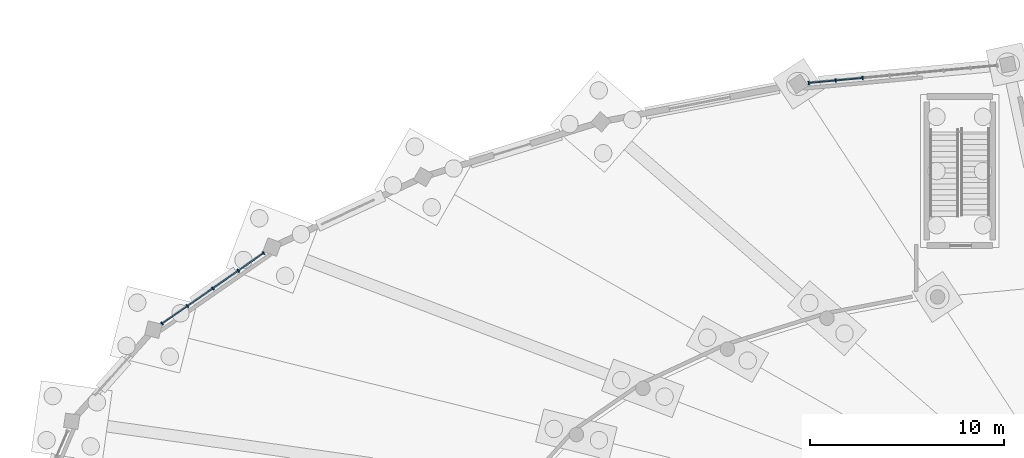
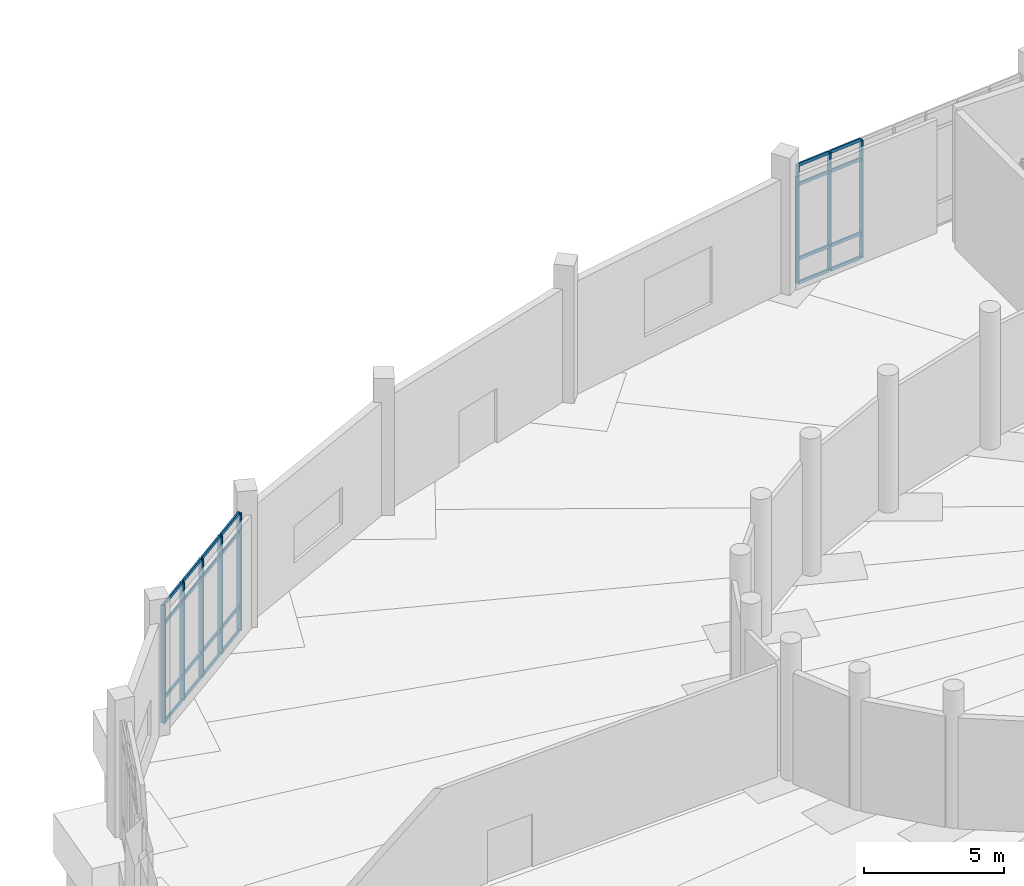
# One storey, part 54 of 140: 32 members, 2 elements without a shape of their own.
"""IFC4 building model written with IfcOpenShell, lengths in metres."""

from ifc_helpers import new_model, si_unit, direction, frame, origin, origin_2d, place, context, subcontext, project, spatial, rectangle, extrude, material, layer, layer_set, material_profile, profile_set, type_object, element, aggregate, save


model = new_model("IFC4")

# Units and contexts
model_context = context("Model", 3, precision=1e-05, world=origin(), true_north=direction((0.0, 1.0)))
body_context = subcontext(model_context, "Body", "Model", "MODEL_VIEW")
ifc_project = project(units=[si_unit("LENGTHUNIT", "METRE"), si_unit("AREAUNIT", "SQUARE_METRE"), si_unit("VOLUMEUNIT", "CUBIC_METRE"), si_unit("PLANEANGLEUNIT", "RADIAN"), si_unit("MASSUNIT", "GRAM", prefix="KILO")], contexts=[model_context])

# Site, building, storey
site_placement = place(None, origin())
site = spatial("IfcSite", under=ifc_project, at=site_placement, CompositionType="ELEMENT")
building_placement = place(site_placement, origin())
building = spatial("IfcBuilding", under=site, at=building_placement, Name="Corvandel Quay Wholesale Market", CompositionType="ELEMENT")
storey_placement = place(building_placement, origin())
storey = spatial("IfcBuildingStorey", under=building, at=storey_placement, Name="L00", CompositionType="ELEMENT", Elevation=0.0)

# Curtain wall, members
ifc_material_1 = material(Name="Bronze anodised aluminium and low-E insulated glazing", Category="aluminium")
ifc_layer_1 = layer(ifc_material_1, 0.162109375)
ifc_layer_set_1 = layer_set([ifc_layer_1], Name="Bronze anodised aluminium and low-E insulated glazing")
curtain_wall_type_1 = type_object("IfcCurtainWallType", Name="Stick Curtain Wall System CW11 H3990", PredefinedType="NOTDEFINED", material=ifc_layer_set_1)
curtain_wall_1_placement = place(storey_placement, origin())
curtain_wall_1 = element("IfcCurtainWall", 1, at=curtain_wall_1_placement, inside=storey, type_object=curtain_wall_type_1, Name="Curtain Wall CW-0098", PredefinedType="NOTDEFINED")
ifc_material_2 = material(Name="Anodised aluminium 6063-T6", Category="aluminium")
ifc_material_profile_1 = material_profile(ifc_material_2, rectangle(XDim=0.06494140625, YDim=0.179931640625, at=origin_2d()), Name="ALU-MUL-65x180")
ifc_profile_set_1 = profile_set([ifc_material_profile_1], Name="Anodised aluminium 6063-T6")
member_type_1 = type_object("IfcMemberType", Name="Curtain Wall Mullion ML01 65x180", PredefinedType="MULLION", material=ifc_profile_set_1)
member_1_placement = place(storey_placement, frame((100.986572265625, 141.3076171875, 0.0), z_axis=(0.0, 0.0, 1.0), x_axis=(0.995756880939, 0.092023008338, 0.0)))
member_1 = element("IfcMember", 2, at=member_1_placement, type_object=member_type_1, Name="Mullion CW-0098-M05", PredefinedType="MULLION", context=body_context, shape_type="SweptSolid", body=[
    extrude(rectangle(XDim=0.06494140625, YDim=0.179931640625, at=origin_2d()), origin(), (0.0, 0.0, 1.0), 5.14990234375),
])
member_2_placement = place(storey_placement, frame((99.594482421875, 141.17919921875, 0.0), z_axis=(0.0, 0.0, 1.0), x_axis=(0.995756880939, 0.092023008338, 0.0)))
member_2 = element("IfcMember", 3, at=member_2_placement, type_object=member_type_1, Name="Mullion CW-0098-M06", PredefinedType="MULLION", context=body_context, shape_type="SweptSolid", body=[
    extrude(rectangle(XDim=0.06494140625, YDim=0.179931640625, at=origin_2d()), origin(), (0.0, 0.0, 1.0), 5.14990234375),
])
member_3_placement = place(storey_placement, frame((98.20263671875, 141.05078125, 0.0), z_axis=(0.0, 0.0, 1.0), x_axis=(0.995756880939, 0.092023008338, 0.0)))
member_3 = element("IfcMember", 4, at=member_3_placement, type_object=member_type_1, Name="Mullion CW-0098-M07", PredefinedType="MULLION", context=body_context, shape_type="SweptSolid", body=[
    extrude(rectangle(XDim=0.06494140625, YDim=0.179931640625, at=origin_2d()), origin(), (0.0, 0.0, 1.0), 5.14990234375),
])

ifc_layer_2 = layer(ifc_material_1, 0.14990234375)
ifc_layer_set_2 = layer_set([ifc_layer_2], Name="Bronze anodised aluminium and low-E insulated glazing")
curtain_wall_type_2 = type_object("IfcCurtainWallType", Name="Stick Curtain Wall System CW15 H4350", PredefinedType="NOTDEFINED", material=ifc_layer_set_2)
curtain_wall_2_placement = place(storey_placement, origin())
curtain_wall_2 = element("IfcCurtainWall", 5, at=curtain_wall_2_placement, inside=storey, type_object=curtain_wall_type_2, Name="Curtain Wall CW-0101", PredefinedType="NOTDEFINED")
member_4_placement = place(storey_placement, frame((70.05859375, 132.265869140625, 0.0), z_axis=(0.0, 0.0, 1.0), x_axis=(0.821248804935, 0.570570241419, 0.0)))
member_4 = element("IfcMember", 6, at=member_4_placement, type_object=member_type_1, Name="Mullion CW-0101-M00", PredefinedType="MULLION", context=body_context, shape_type="SweptSolid", body=[
    extrude(rectangle(XDim=0.06494140625, YDim=0.179931640625, at=origin_2d()), origin(), (0.0, 0.0, 1.0), 5.14990234375),
])
member_5_placement = place(storey_placement, frame((68.748046875, 131.35546875, 0.0), z_axis=(0.0, 0.0, 1.0), x_axis=(0.821248804935, 0.570570241419, 0.0)))
member_5 = element("IfcMember", 7, at=member_5_placement, type_object=member_type_1, Name="Mullion CW-0101-M01", PredefinedType="MULLION", context=body_context, shape_type="SweptSolid", body=[
    extrude(rectangle(XDim=0.06494140625, YDim=0.179931640625, at=origin_2d()), origin(), (0.0, 0.0, 1.0), 5.14990234375),
])
member_6_placement = place(storey_placement, frame((67.4375, 130.445068359375, 0.0), z_axis=(0.0, 0.0, 1.0), x_axis=(0.821248804935, 0.570570241419, 0.0)))
member_6 = element("IfcMember", 8, at=member_6_placement, type_object=member_type_1, Name="Mullion CW-0101-M02", PredefinedType="MULLION", context=body_context, shape_type="SweptSolid", body=[
    extrude(rectangle(XDim=0.06494140625, YDim=0.179931640625, at=origin_2d()), origin(), (0.0, 0.0, 1.0), 5.14990234375),
])
member_7_placement = place(storey_placement, frame((66.126953125, 129.534423828125, 0.0), z_axis=(0.0, 0.0, 1.0), x_axis=(0.821248804935, 0.570570241419, 0.0)))
member_7 = element("IfcMember", 9, at=member_7_placement, type_object=member_type_1, Name="Mullion CW-0101-M03", PredefinedType="MULLION", context=body_context, shape_type="SweptSolid", body=[
    extrude(rectangle(XDim=0.06494140625, YDim=0.179931640625, at=origin_2d()), origin(), (0.0, 0.0, 1.0), 5.14990234375),
])
member_8_placement = place(storey_placement, frame((64.81640625, 128.6240234375, 0.0), z_axis=(0.0, 0.0, 1.0), x_axis=(0.821248804935, 0.570570241419, 0.0)))
member_8 = element("IfcMember", 10, at=member_8_placement, type_object=member_type_1, Name="Mullion CW-0101-M04", PredefinedType="MULLION", context=body_context, shape_type="SweptSolid", body=[
    extrude(rectangle(XDim=0.06494140625, YDim=0.179931640625, at=origin_2d()), origin(), (0.0, 0.0, 1.0), 5.14990234375),
])

# Member
ifc_material_profile_2 = material_profile(ifc_material_2, rectangle(XDim=0.06494140625, YDim=0.139892578125, at=origin_2d()), Name="ALU-TRN-65x140")
ifc_profile_set_2 = profile_set([ifc_material_profile_2], Name="Anodised aluminium 6063-T6")
member_type_2 = type_object("IfcMemberType", Name="Curtain Wall Transom TR01 65x140", PredefinedType="USERDEFINED", material=ifc_profile_set_2)
member_9_placement = place(storey_placement, frame((100.9541015625, 141.3046875, 0.0), z_axis=(-0.99576306711, -0.091956044829, 0.0), x_axis=(0.091956044829, -0.99576306711, 0.0)))
member_9 = element("IfcMember", 11, at=member_9_placement, type_object=member_type_2, Name="Transom CW-0098-T05-0", ObjectType="TRANSOM", PredefinedType="USERDEFINED", context=body_context, shape_type="SweptSolid", body=[
    extrude(rectangle(XDim=0.06494140625, YDim=0.139892578125, at=origin_2d()), origin(), (0.0, 0.0, 1.0), 1.332763671875),
])

member_10_placement = place(storey_placement, frame((100.9541015625, 141.3046875, 1.050048828125), z_axis=(-0.99576306711, -0.091956044829, 0.0), x_axis=(0.091956044829, -0.99576306711, 0.0)))
member_10 = element("IfcMember", 12, at=member_10_placement, type_object=member_type_2, Name="Transom CW-0098-T05-1", ObjectType="TRANSOM", PredefinedType="USERDEFINED", context=body_context, shape_type="SweptSolid", body=[
    extrude(rectangle(XDim=0.06494140625, YDim=0.139892578125, at=origin_2d()), origin(), (0.0, 0.0, 1.0), 1.332763671875),
])

member_11_placement = place(storey_placement, frame((100.9541015625, 141.3046875, 4.300048828125), z_axis=(-0.99576306711, -0.091956044829, 0.0), x_axis=(0.091956044829, -0.99576306711, 0.0)))
member_11 = element("IfcMember", 13, at=member_11_placement, type_object=member_type_2, Name="Transom CW-0098-T05-2", ObjectType="TRANSOM", PredefinedType="USERDEFINED", context=body_context, shape_type="SweptSolid", body=[
    extrude(rectangle(XDim=0.06494140625, YDim=0.139892578125, at=origin_2d()), origin(), (0.0, 0.0, 1.0), 1.332763671875),
])

member_12_placement = place(storey_placement, frame((100.9541015625, 141.3046875, 5.14990234375), z_axis=(-0.99576306711, -0.091956044829, 0.0), x_axis=(0.091956044829, -0.99576306711, 0.0)))
member_12 = element("IfcMember", 14, at=member_12_placement, type_object=member_type_2, Name="Transom CW-0098-T05-3", ObjectType="TRANSOM", PredefinedType="USERDEFINED", context=body_context, shape_type="SweptSolid", body=[
    extrude(rectangle(XDim=0.06494140625, YDim=0.139892578125, at=origin_2d()), origin(), (0.0, 0.0, 1.0), 1.332763671875),
])

member_13_placement = place(storey_placement, frame((99.562255859375, 141.17626953125, 0.0), z_axis=(-0.99576306711, -0.091956044829, 0.0), x_axis=(0.091956044829, -0.99576306711, 0.0)))
member_13 = element("IfcMember", 15, at=member_13_placement, type_object=member_type_2, Name="Transom CW-0098-T06-0", ObjectType="TRANSOM", PredefinedType="USERDEFINED", context=body_context, shape_type="SweptSolid", body=[
    extrude(rectangle(XDim=0.06494140625, YDim=0.139892578125, at=origin_2d()), origin(), (0.0, 0.0, 1.0), 1.332763671875),
])

member_14_placement = place(storey_placement, frame((99.562255859375, 141.17626953125, 1.050048828125), z_axis=(-0.99576306711, -0.091956044829, 0.0), x_axis=(0.091956044829, -0.99576306711, 0.0)))
member_14 = element("IfcMember", 16, at=member_14_placement, type_object=member_type_2, Name="Transom CW-0098-T06-1", ObjectType="TRANSOM", PredefinedType="USERDEFINED", context=body_context, shape_type="SweptSolid", body=[
    extrude(rectangle(XDim=0.06494140625, YDim=0.139892578125, at=origin_2d()), origin(), (0.0, 0.0, 1.0), 1.332763671875),
])

member_15_placement = place(storey_placement, frame((99.562255859375, 141.17626953125, 4.300048828125), z_axis=(-0.99576306711, -0.091956044829, 0.0), x_axis=(0.091956044829, -0.99576306711, 0.0)))
member_15 = element("IfcMember", 17, at=member_15_placement, type_object=member_type_2, Name="Transom CW-0098-T06-2", ObjectType="TRANSOM", PredefinedType="USERDEFINED", context=body_context, shape_type="SweptSolid", body=[
    extrude(rectangle(XDim=0.06494140625, YDim=0.139892578125, at=origin_2d()), origin(), (0.0, 0.0, 1.0), 1.332763671875),
])

member_16_placement = place(storey_placement, frame((99.562255859375, 141.17626953125, 5.14990234375), z_axis=(-0.99576306711, -0.091956044829, 0.0), x_axis=(0.091956044829, -0.99576306711, 0.0)))
member_16 = element("IfcMember", 18, at=member_16_placement, type_object=member_type_2, Name="Transom CW-0098-T06-3", ObjectType="TRANSOM", PredefinedType="USERDEFINED", context=body_context, shape_type="SweptSolid", body=[
    extrude(rectangle(XDim=0.06494140625, YDim=0.139892578125, at=origin_2d()), origin(), (0.0, 0.0, 1.0), 1.332763671875),
])

aggregate(curtain_wall_1, [member_1, member_2, member_3, member_9, member_10, member_11, member_12, member_13, member_14, member_15, member_16])

member_17_placement = place(storey_placement, frame((70.03173828125, 132.247314453125, 0.0), z_axis=(-0.821272392975, -0.570536288536, 0.0), x_axis=(0.570536288536, -0.821272392975, 0.0)))
member_17 = element("IfcMember", 19, at=member_17_placement, type_object=member_type_2, Name="Transom CW-0101-T00-0", ObjectType="TRANSOM", PredefinedType="USERDEFINED", context=body_context, shape_type="SweptSolid", body=[
    extrude(rectangle(XDim=0.06494140625, YDim=0.139892578125, at=origin_2d()), origin(), (0.0, 0.0, 1.0), 1.53076171875),
])

member_18_placement = place(storey_placement, frame((70.03173828125, 132.247314453125, 1.050048828125), z_axis=(-0.821272392975, -0.570536288536, 0.0), x_axis=(0.570536288536, -0.821272392975, 0.0)))
member_18 = element("IfcMember", 20, at=member_18_placement, type_object=member_type_2, Name="Transom CW-0101-T00-1", ObjectType="TRANSOM", PredefinedType="USERDEFINED", context=body_context, shape_type="SweptSolid", body=[
    extrude(rectangle(XDim=0.06494140625, YDim=0.139892578125, at=origin_2d()), origin(), (0.0, 0.0, 1.0), 1.53076171875),
])

member_19_placement = place(storey_placement, frame((70.03173828125, 132.247314453125, 4.300048828125), z_axis=(-0.821272392975, -0.570536288536, 0.0), x_axis=(0.570536288536, -0.821272392975, 0.0)))
member_19 = element("IfcMember", 21, at=member_19_placement, type_object=member_type_2, Name="Transom CW-0101-T00-2", ObjectType="TRANSOM", PredefinedType="USERDEFINED", context=body_context, shape_type="SweptSolid", body=[
    extrude(rectangle(XDim=0.06494140625, YDim=0.139892578125, at=origin_2d()), origin(), (0.0, 0.0, 1.0), 1.53076171875),
])

member_20_placement = place(storey_placement, frame((70.03173828125, 132.247314453125, 5.14990234375), z_axis=(-0.821272392975, -0.570536288536, 0.0), x_axis=(0.570536288536, -0.821272392975, 0.0)))
member_20 = element("IfcMember", 22, at=member_20_placement, type_object=member_type_2, Name="Transom CW-0101-T00-3", ObjectType="TRANSOM", PredefinedType="USERDEFINED", context=body_context, shape_type="SweptSolid", body=[
    extrude(rectangle(XDim=0.06494140625, YDim=0.139892578125, at=origin_2d()), origin(), (0.0, 0.0, 1.0), 1.53076171875),
])

member_21_placement = place(storey_placement, frame((68.72119140625, 131.3369140625, 0.0), z_axis=(-0.821197655875, -0.570643855646, 0.0), x_axis=(0.570643855646, -0.821197655875, 0.0)))
member_21 = element("IfcMember", 23, at=member_21_placement, type_object=member_type_2, Name="Transom CW-0101-T01-0", ObjectType="TRANSOM", PredefinedType="USERDEFINED", context=body_context, shape_type="SweptSolid", body=[
    extrude(rectangle(XDim=0.06494140625, YDim=0.139892578125, at=origin_2d()), origin(), (0.0, 0.0, 1.0), 1.53076171875),
])

member_22_placement = place(storey_placement, frame((68.72119140625, 131.3369140625, 1.050048828125), z_axis=(-0.821197655875, -0.570643855646, 0.0), x_axis=(0.570643855646, -0.821197655875, 0.0)))
member_22 = element("IfcMember", 24, at=member_22_placement, type_object=member_type_2, Name="Transom CW-0101-T01-1", ObjectType="TRANSOM", PredefinedType="USERDEFINED", context=body_context, shape_type="SweptSolid", body=[
    extrude(rectangle(XDim=0.06494140625, YDim=0.139892578125, at=origin_2d()), origin(), (0.0, 0.0, 1.0), 1.53076171875),
])

member_23_placement = place(storey_placement, frame((68.72119140625, 131.3369140625, 4.300048828125), z_axis=(-0.821197655875, -0.570643855646, 0.0), x_axis=(0.570643855646, -0.821197655875, 0.0)))
member_23 = element("IfcMember", 25, at=member_23_placement, type_object=member_type_2, Name="Transom CW-0101-T01-2", ObjectType="TRANSOM", PredefinedType="USERDEFINED", context=body_context, shape_type="SweptSolid", body=[
    extrude(rectangle(XDim=0.06494140625, YDim=0.139892578125, at=origin_2d()), origin(), (0.0, 0.0, 1.0), 1.53076171875),
])

member_24_placement = place(storey_placement, frame((68.72119140625, 131.3369140625, 5.14990234375), z_axis=(-0.821197655875, -0.570643855646, 0.0), x_axis=(0.570643855646, -0.821197655875, 0.0)))
member_24 = element("IfcMember", 26, at=member_24_placement, type_object=member_type_2, Name="Transom CW-0101-T01-3", ObjectType="TRANSOM", PredefinedType="USERDEFINED", context=body_context, shape_type="SweptSolid", body=[
    extrude(rectangle(XDim=0.06494140625, YDim=0.139892578125, at=origin_2d()), origin(), (0.0, 0.0, 1.0), 1.53076171875),
])

member_25_placement = place(storey_placement, frame((67.410888671875, 130.426513671875, 0.0), z_axis=(-0.821197655875, -0.570643855646, 0.0), x_axis=(0.570643855646, -0.821197655875, 0.0)))
member_25 = element("IfcMember", 27, at=member_25_placement, type_object=member_type_2, Name="Transom CW-0101-T02-0", ObjectType="TRANSOM", PredefinedType="USERDEFINED", context=body_context, shape_type="SweptSolid", body=[
    extrude(rectangle(XDim=0.06494140625, YDim=0.139892578125, at=origin_2d()), origin(), (0.0, 0.0, 1.0), 1.53076171875),
])

member_26_placement = place(storey_placement, frame((67.410888671875, 130.426513671875, 1.050048828125), z_axis=(-0.821197655875, -0.570643855646, 0.0), x_axis=(0.570643855646, -0.821197655875, 0.0)))
member_26 = element("IfcMember", 28, at=member_26_placement, type_object=member_type_2, Name="Transom CW-0101-T02-1", ObjectType="TRANSOM", PredefinedType="USERDEFINED", context=body_context, shape_type="SweptSolid", body=[
    extrude(rectangle(XDim=0.06494140625, YDim=0.139892578125, at=origin_2d()), origin(), (0.0, 0.0, 1.0), 1.53076171875),
])

member_27_placement = place(storey_placement, frame((67.410888671875, 130.426513671875, 4.300048828125), z_axis=(-0.821197655875, -0.570643855646, 0.0), x_axis=(0.570643855646, -0.821197655875, 0.0)))
member_27 = element("IfcMember", 29, at=member_27_placement, type_object=member_type_2, Name="Transom CW-0101-T02-2", ObjectType="TRANSOM", PredefinedType="USERDEFINED", context=body_context, shape_type="SweptSolid", body=[
    extrude(rectangle(XDim=0.06494140625, YDim=0.139892578125, at=origin_2d()), origin(), (0.0, 0.0, 1.0), 1.53076171875),
])

member_28_placement = place(storey_placement, frame((67.410888671875, 130.426513671875, 5.14990234375), z_axis=(-0.821197655875, -0.570643855646, 0.0), x_axis=(0.570643855646, -0.821197655875, 0.0)))
member_28 = element("IfcMember", 30, at=member_28_placement, type_object=member_type_2, Name="Transom CW-0101-T02-3", ObjectType="TRANSOM", PredefinedType="USERDEFINED", context=body_context, shape_type="SweptSolid", body=[
    extrude(rectangle(XDim=0.06494140625, YDim=0.139892578125, at=origin_2d()), origin(), (0.0, 0.0, 1.0), 1.53076171875),
])

member_29_placement = place(storey_placement, frame((66.100341796875, 129.51611328125, 0.0), z_axis=(-0.821197655875, -0.570643855646, 0.0), x_axis=(0.570643855646, -0.821197655875, 0.0)))
member_29 = element("IfcMember", 31, at=member_29_placement, type_object=member_type_2, Name="Transom CW-0101-T03-0", ObjectType="TRANSOM", PredefinedType="USERDEFINED", context=body_context, shape_type="SweptSolid", body=[
    extrude(rectangle(XDim=0.06494140625, YDim=0.139892578125, at=origin_2d()), origin(), (0.0, 0.0, 1.0), 1.53076171875),
])

member_30_placement = place(storey_placement, frame((66.100341796875, 129.51611328125, 1.050048828125), z_axis=(-0.821197655875, -0.570643855646, 0.0), x_axis=(0.570643855646, -0.821197655875, 0.0)))
member_30 = element("IfcMember", 32, at=member_30_placement, type_object=member_type_2, Name="Transom CW-0101-T03-1", ObjectType="TRANSOM", PredefinedType="USERDEFINED", context=body_context, shape_type="SweptSolid", body=[
    extrude(rectangle(XDim=0.06494140625, YDim=0.139892578125, at=origin_2d()), origin(), (0.0, 0.0, 1.0), 1.53076171875),
])

member_31_placement = place(storey_placement, frame((66.100341796875, 129.51611328125, 4.300048828125), z_axis=(-0.821197655875, -0.570643855646, 0.0), x_axis=(0.570643855646, -0.821197655875, 0.0)))
member_31 = element("IfcMember", 33, at=member_31_placement, type_object=member_type_2, Name="Transom CW-0101-T03-2", ObjectType="TRANSOM", PredefinedType="USERDEFINED", context=body_context, shape_type="SweptSolid", body=[
    extrude(rectangle(XDim=0.06494140625, YDim=0.139892578125, at=origin_2d()), origin(), (0.0, 0.0, 1.0), 1.53076171875),
])

member_32_placement = place(storey_placement, frame((66.100341796875, 129.51611328125, 5.14990234375), z_axis=(-0.821197655875, -0.570643855646, 0.0), x_axis=(0.570643855646, -0.821197655875, 0.0)))
member_32 = element("IfcMember", 34, at=member_32_placement, type_object=member_type_2, Name="Transom CW-0101-T03-3", ObjectType="TRANSOM", PredefinedType="USERDEFINED", context=body_context, shape_type="SweptSolid", body=[
    extrude(rectangle(XDim=0.06494140625, YDim=0.139892578125, at=origin_2d()), origin(), (0.0, 0.0, 1.0), 1.53076171875),
])

aggregate(curtain_wall_2, [member_4, member_5, member_6, member_7, member_8, member_17, member_18, member_19, member_20, member_21, member_22, member_23, member_24, member_25, member_26, member_27, member_28, member_29, member_30, member_31, member_32])

save(model, "model.ifc")
